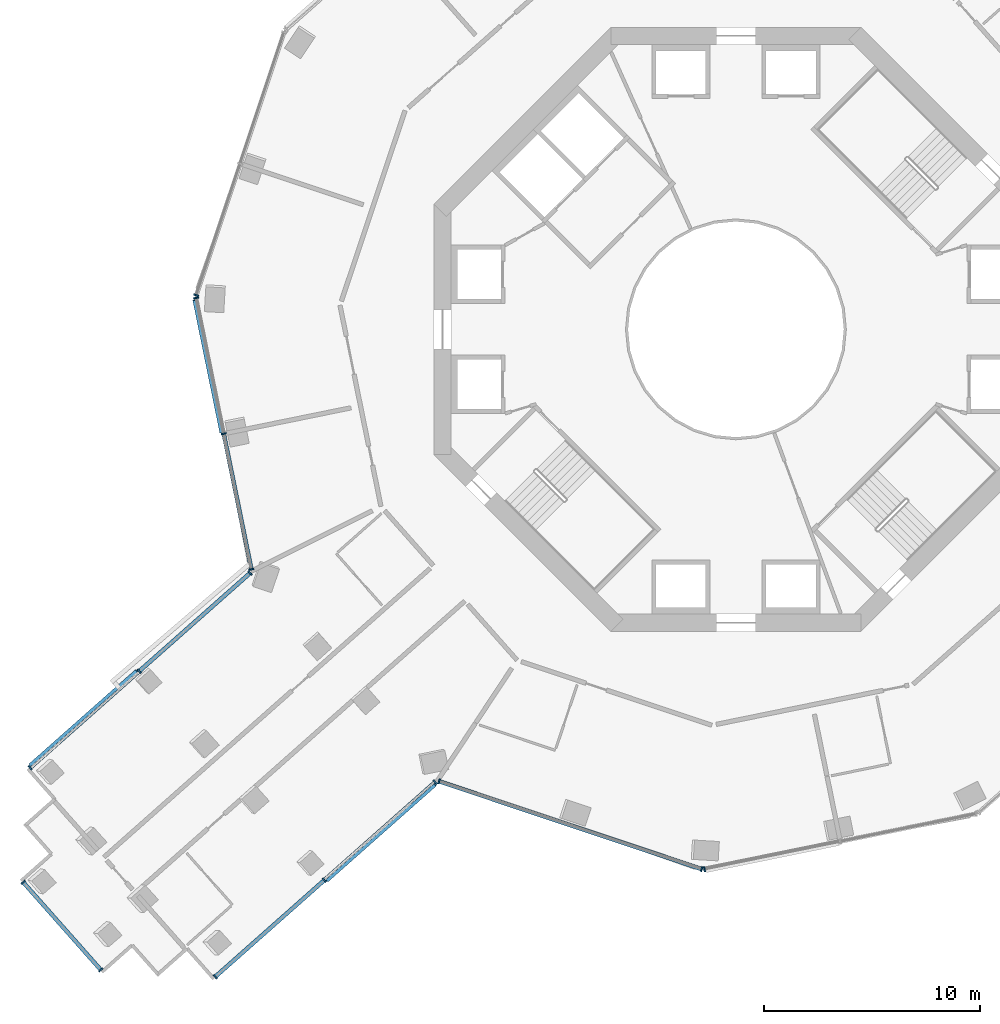
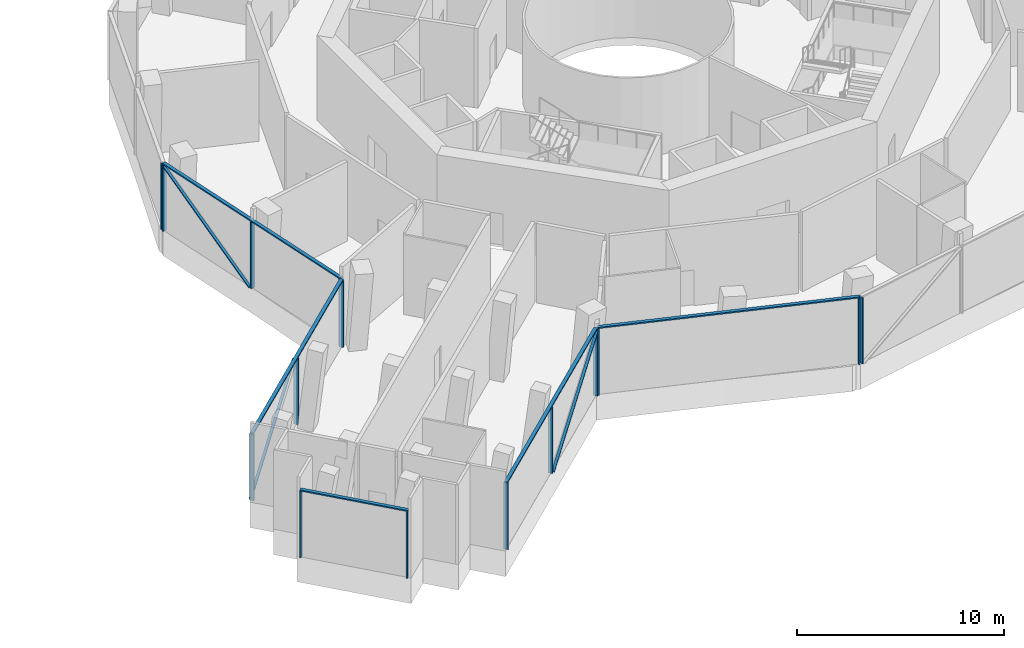
# One storey, part 2 of 20: 23 members, 7 elements without a shape of their own.
"""IFC4 building model written with IfcOpenShell, lengths in metres."""

from ifc_helpers import new_model, si_unit, direction, frame, origin, origin_2d, place, context, subcontext, project, spatial, rectangle, extrude, material, layer, layer_set, material_profile, profile_set, type_object, element, aggregate, save


model = new_model("IFC4")

# Units and contexts
model_context = context("Model", 3, precision=1e-05, world=origin(), true_north=direction((0.0, 1.0)))
body_context = subcontext(model_context, "Body", "Model", "MODEL_VIEW")
ifc_project = project(units=[si_unit("LENGTHUNIT", "METRE"), si_unit("AREAUNIT", "SQUARE_METRE"), si_unit("VOLUMEUNIT", "CUBIC_METRE"), si_unit("PLANEANGLEUNIT", "RADIAN"), si_unit("MASSUNIT", "GRAM", prefix="KILO")], contexts=[model_context])

# Site, building, storey
site_placement = place(None, origin())
site = spatial("IfcSite", under=ifc_project, at=site_placement, CompositionType="ELEMENT")
building_placement = place(site_placement, origin())
building = spatial("IfcBuilding", under=site, at=building_placement, Name="Verdalira Terraces Hotel", CompositionType="ELEMENT")
storey_placement = place(building_placement, frame((0.0, 0.0, 81.0)))
storey = spatial("IfcBuildingStorey", under=building, at=storey_placement, Name="L18", CompositionType="ELEMENT", Elevation=81.0)

# Curtain wall, member
ifc_material_1 = material(Name="Clear glass", Category="glass")
ifc_layer = layer(ifc_material_1, 0.239990234375)
ifc_layer_set = layer_set([ifc_layer], Name="CW5 curtain wall")
curtain_wall_type = type_object("IfcCurtainWallType", Name="CW5 curtain wall", PredefinedType="NOTDEFINED", material=ifc_layer_set)
curtain_wall_1_placement = place(storey_placement, origin())
curtain_wall_1 = element("IfcCurtainWall", 1, at=curtain_wall_1_placement, inside=storey, type_object=curtain_wall_type, Name="CW5 curtain wall L18 edge 12", PredefinedType="NOTDEFINED")
ifc_material_2 = material(Name="Terracotta frame", Category="masonry")
ifc_material_profile_1 = material_profile(ifc_material_2, rectangle(XDim=0.070068, YDim=0.23999, at=origin_2d()), Name="MU 70x240")
ifc_profile_set_1 = profile_set([ifc_material_profile_1], Name="Terracotta frame")
member_type_1 = type_object("IfcMemberType", Name="CW5 mullion 70x240", PredefinedType="MULLION", material=ifc_profile_set_1)
member_1_placement = place(storey_placement, frame((-25.015381, 1.586182, 0.0), z_axis=(0.0, 0.0, 1.0), x_axis=(-0.31697361, -0.948434358, 0.0)))
member_1 = element("IfcMember", 2, at=member_1_placement, type_object=member_type_1, Name="CW5 mullion", PredefinedType="MULLION", context=body_context, shape_type="SweptSolid", body=[
    extrude(rectangle(XDim=0.070068, YDim=0.23999, at=origin_2d()), origin(), (0.0, 0.0, 1.0), 3.915039),
])
aggregate(curtain_wall_1, [member_1])

# Curtain wall, members
curtain_wall_2_placement = place(storey_placement, origin())
curtain_wall_2 = element("IfcCurtainWall", 3, at=curtain_wall_2_placement, inside=storey, type_object=curtain_wall_type, Name="CW5 curtain wall L18 edge 13", PredefinedType="NOTDEFINED")
member_2_placement = place(storey_placement, frame((-25.023438, 1.456787, 0.0), z_axis=(0.0, 0.0, 1.0), x_axis=(0.199709981, -0.979855052, 0.0)))
member_2 = element("IfcMember", 4, at=member_2_placement, type_object=member_type_1, Name="CW5 mullion", PredefinedType="MULLION", context=body_context, shape_type="SweptSolid", body=[
    extrude(rectangle(XDim=0.070068, YDim=0.23999, at=origin_2d()), origin(), (0.0, 0.0, 1.0), 3.915039),
])
member_3_placement = place(storey_placement, frame((-23.740234, -4.838623, 0.0), z_axis=(0.0, 0.0, 1.0), x_axis=(0.199709981, -0.979855052, 0.0)))
member_3 = element("IfcMember", 5, at=member_3_placement, type_object=member_type_1, Name="CW5 mullion", PredefinedType="MULLION", context=body_context, shape_type="SweptSolid", body=[
    extrude(rectangle(XDim=0.070068, YDim=0.23999, at=origin_2d()), origin(), (0.0, 0.0, 1.0), 3.915039),
])
member_4_placement = place(storey_placement, frame((-22.459473, -11.122559, 0.0), z_axis=(0.0, 0.0, 1.0), x_axis=(0.199709981, -0.979855052, 0.0)))
member_4 = element("IfcMember", 6, at=member_4_placement, type_object=member_type_1, Name="CW5 mullion", PredefinedType="MULLION", context=body_context, shape_type="SweptSolid", body=[
    extrude(rectangle(XDim=0.070068, YDim=0.23999, at=origin_2d()), origin(), (0.0, 0.0, 1.0), 3.915039),
])

curtain_wall_3_placement = place(storey_placement, origin())
curtain_wall_3 = element("IfcCurtainWall", 7, at=curtain_wall_3_placement, inside=storey, type_object=curtain_wall_type, Name="CW5 curtain wall L18 edge 14", PredefinedType="NOTDEFINED")
member_5_placement = place(storey_placement, frame((-22.516846, -11.293701, 0.0), z_axis=(0.0, 0.0, 1.0), x_axis=(-0.748724377, -0.662881443, 0.0)))
member_5 = element("IfcMember", 8, at=member_5_placement, type_object=member_type_1, Name="CW5 mullion", PredefinedType="MULLION", context=body_context, shape_type="SweptSolid", body=[
    extrude(rectangle(XDim=0.070068, YDim=0.23999, at=origin_2d()), origin(), (0.0, 0.0, 1.0), 3.915039),
])
member_6_placement = place(storey_placement, frame((-27.6521, -15.840332, 0.0), z_axis=(0.0, 0.0, 1.0), x_axis=(-0.748724377, -0.662881443, 0.0)))
member_6 = element("IfcMember", 9, at=member_6_placement, type_object=member_type_1, Name="CW5 mullion", PredefinedType="MULLION", context=body_context, shape_type="SweptSolid", body=[
    extrude(rectangle(XDim=0.070068, YDim=0.23999, at=origin_2d()), origin(), (0.0, 0.0, 1.0), 3.915039),
])
member_7_placement = place(storey_placement, frame((-32.714111, -20.322021, 0.0), z_axis=(0.0, 0.0, 1.0), x_axis=(-0.748724377, -0.662881443, 0.0)))
member_7 = element("IfcMember", 10, at=member_7_placement, type_object=member_type_1, Name="CW5 mullion", PredefinedType="MULLION", context=body_context, shape_type="SweptSolid", body=[
    extrude(rectangle(XDim=0.070068, YDim=0.23999, at=origin_2d()), origin(), (0.0, 0.0, 1.0), 3.915039),
])

curtain_wall_4_placement = place(storey_placement, origin())
curtain_wall_4 = element("IfcCurtainWall", 11, at=curtain_wall_4_placement, inside=storey, type_object=curtain_wall_type, Name="CW5 curtain wall L18 edge 19", PredefinedType="NOTDEFINED")
member_8_placement = place(storey_placement, frame((-33.036621, -25.622559, 0.0), z_axis=(0.0, 0.0, 1.0), x_axis=(0.662881443, -0.748724377, 0.0)))
member_8 = element("IfcMember", 12, at=member_8_placement, type_object=member_type_1, Name="CW5 mullion", PredefinedType="MULLION", context=body_context, shape_type="SweptSolid", body=[
    extrude(rectangle(XDim=0.070068, YDim=0.23999, at=origin_2d()), origin(), (0.0, 0.0, 1.0), 3.915039),
])
member_9_placement = place(storey_placement, frame((-29.437012, -29.688232, 0.0), z_axis=(0.0, 0.0, 1.0), x_axis=(0.662881443, -0.748724377, 0.0)))
member_9 = element("IfcMember", 13, at=member_9_placement, type_object=member_type_1, Name="CW5 mullion", PredefinedType="MULLION", context=body_context, shape_type="SweptSolid", body=[
    extrude(rectangle(XDim=0.070068, YDim=0.23999, at=origin_2d()), origin(), (0.0, 0.0, 1.0), 3.915039),
])

curtain_wall_5_placement = place(storey_placement, origin())
curtain_wall_5 = element("IfcCurtainWall", 14, at=curtain_wall_5_placement, inside=storey, type_object=curtain_wall_type, Name="CW5 curtain wall L18 edge 24", PredefinedType="NOTDEFINED")
member_10_placement = place(storey_placement, frame((-24.136475, -30.010498, 0.0), z_axis=(0.0, 0.0, 1.0), x_axis=(0.748724377, 0.662881443, 0.0)))
member_10 = element("IfcMember", 15, at=member_10_placement, type_object=member_type_1, Name="CW5 mullion", PredefinedType="MULLION", context=body_context, shape_type="SweptSolid", body=[
    extrude(rectangle(XDim=0.070068, YDim=0.23999, at=origin_2d()), origin(), (0.0, 0.0, 1.0), 3.915039),
])
member_11_placement = place(storey_placement, frame((-19.074463, -25.528809, 0.0), z_axis=(0.0, 0.0, 1.0), x_axis=(0.748724377, 0.662881443, 0.0)))
member_11 = element("IfcMember", 16, at=member_11_placement, type_object=member_type_1, Name="CW5 mullion", PredefinedType="MULLION", context=body_context, shape_type="SweptSolid", body=[
    extrude(rectangle(XDim=0.070068, YDim=0.23999, at=origin_2d()), origin(), (0.0, 0.0, 1.0), 3.915039),
])
member_12_placement = place(storey_placement, frame((-13.938965, -20.982178, 0.0), z_axis=(0.0, 0.0, 1.0), x_axis=(0.748724377, 0.662881443, 0.0)))
member_12 = element("IfcMember", 17, at=member_12_placement, type_object=member_type_1, Name="CW5 mullion", PredefinedType="MULLION", context=body_context, shape_type="SweptSolid", body=[
    extrude(rectangle(XDim=0.070068, YDim=0.23999, at=origin_2d()), origin(), (0.0, 0.0, 1.0), 3.915039),
])

curtain_wall_6_placement = place(storey_placement, origin())
curtain_wall_6 = element("IfcCurtainWall", 18, at=curtain_wall_6_placement, inside=storey, type_object=curtain_wall_type, Name="CW5 curtain wall L18 edge 25", PredefinedType="NOTDEFINED")
member_13_placement = place(storey_placement, frame((-13.762207, -20.946289, 0.0), z_axis=(0.0, 0.0, 1.0), x_axis=(0.948434358, -0.31697361, 0.0)))
member_13 = element("IfcMember", 19, at=member_13_placement, type_object=member_type_1, Name="CW5 mullion", PredefinedType="MULLION", context=body_context, shape_type="SweptSolid", body=[
    extrude(rectangle(XDim=0.070068, YDim=0.23999, at=origin_2d()), origin(), (0.0, 0.0, 1.0), 3.915039),
])
member_14_placement = place(storey_placement, frame((-1.586182, -25.015381, 0.0), z_axis=(0.0, 0.0, 1.0), x_axis=(0.948434358, -0.31697361, 0.0)))
member_14 = element("IfcMember", 20, at=member_14_placement, type_object=member_type_1, Name="CW5 mullion", PredefinedType="MULLION", context=body_context, shape_type="SweptSolid", body=[
    extrude(rectangle(XDim=0.070068, YDim=0.23999, at=origin_2d()), origin(), (0.0, 0.0, 1.0), 3.915039),
])

# Curtain wall, member
curtain_wall_7_placement = place(storey_placement, origin())
curtain_wall_7 = element("IfcCurtainWall", 21, at=curtain_wall_7_placement, inside=storey, type_object=curtain_wall_type, Name="CW5 curtain wall L18 edge 26", PredefinedType="NOTDEFINED")
member_15_placement = place(storey_placement, frame((-1.456787, -25.023438, 0.0), z_axis=(0.0, 0.0, 1.0), x_axis=(0.979855052, 0.199709981, 0.0)))
member_15 = element("IfcMember", 22, at=member_15_placement, type_object=member_type_1, Name="CW5 mullion", PredefinedType="MULLION", context=body_context, shape_type="SweptSolid", body=[
    extrude(rectangle(XDim=0.070068, YDim=0.23999, at=origin_2d()), origin(), (0.0, 0.0, 1.0), 3.915039),
])
aggregate(curtain_wall_7, [member_15])

# Member
ifc_material_3 = material(Name="Terracotta frame", Category="masonry")
ifc_material_profile_2 = material_profile(ifc_material_3, rectangle(XDim=0.189941, YDim=0.074951, at=origin_2d()), Name="TR 75x190")
ifc_profile_set_2 = profile_set([ifc_material_profile_2], Name="Terracotta frame")
member_type_2 = type_object("IfcMemberType", Name="CW5 transom 75x190", PredefinedType="USERDEFINED", material=ifc_profile_set_2)
member_16_placement = place(storey_placement, frame((-25.030273, 1.490967, 3.952393), z_axis=(0.199715799, -0.979853866, 0.0), x_axis=(0.979853866, 0.199715799, 0.0)))
member_16 = element("IfcMember", 23, at=member_16_placement, type_object=member_type_2, Name="CW5 transom", ObjectType="TRANSOM", PredefinedType="USERDEFINED", context=body_context, shape_type="SweptSolid", body=[
    extrude(rectangle(XDim=0.189941, YDim=0.074951, at=origin_2d()), origin(), (0.0, 0.0, 1.0), 12.907715),
])

member_17_placement = place(storey_placement, frame((-22.490479, -11.270508, 3.952393), z_axis=(-0.748728271, -0.662877044, 0.0), x_axis=(0.662877044, -0.748728271, 0.0)))
member_17 = element("IfcMember", 24, at=member_17_placement, type_object=member_type_2, Name="CW5 transom", ObjectType="TRANSOM", PredefinedType="USERDEFINED", context=body_context, shape_type="SweptSolid", body=[
    extrude(rectangle(XDim=0.189941, YDim=0.074951, at=origin_2d()), origin(), (0.0, 0.0, 1.0), 13.689941),
])

member_18_placement = place(storey_placement, frame((-33.059814, -25.596436, 3.952393), z_axis=(0.662902332, -0.748705882, 0.0), x_axis=(0.748705882, 0.662902332, 0.0)))
member_18 = element("IfcMember", 25, at=member_18_placement, type_object=member_type_2, Name="CW5 transom", ObjectType="TRANSOM", PredefinedType="USERDEFINED", context=body_context, shape_type="SweptSolid", body=[
    extrude(rectangle(XDim=0.189941, YDim=0.074951, at=origin_2d()), origin(), (0.0, 0.0, 1.0), 5.5),
])

aggregate(curtain_wall_4, [member_8, member_9, member_18])

member_19_placement = place(storey_placement, frame((-24.162598, -30.033691, 3.952393), z_axis=(0.748720435, 0.662885896, 0.0), x_axis=(-0.662885896, 0.748720435, 0.0)))
member_19 = element("IfcMember", 26, at=member_19_placement, type_object=member_type_2, Name="CW5 transom", ObjectType="TRANSOM", PredefinedType="USERDEFINED", context=body_context, shape_type="SweptSolid", body=[
    extrude(rectangle(XDim=0.189941, YDim=0.074951, at=origin_2d()), origin(), (0.0, 0.0, 1.0), 13.689697),
])

member_20_placement = place(storey_placement, frame((-13.795166, -20.935059, 3.952393), z_axis=(0.94843144, -0.316982341, 0.0), x_axis=(0.316982341, 0.94843144, 0.0)))
member_20 = element("IfcMember", 27, at=member_20_placement, type_object=member_type_2, Name="CW5 transom", ObjectType="TRANSOM", PredefinedType="USERDEFINED", context=body_context, shape_type="SweptSolid", body=[
    extrude(rectangle(XDim=0.189941, YDim=0.074951, at=origin_2d()), origin(), (0.0, 0.0, 1.0), 12.907715),
])

aggregate(curtain_wall_6, [member_13, member_14, member_20])

ifc_material_4 = material(Name="Terracotta frame", Category="masonry")
ifc_material_profile_3 = material_profile(ifc_material_4, rectangle(XDim=0.149902, YDim=0.060059, at=origin_2d()), Name="GB 60x150")
ifc_profile_set_3 = profile_set([ifc_material_profile_3], Name="Terracotta frame")
member_type_3 = type_object("IfcMemberType", Name="Diagonal glazing bar 60x150", PredefinedType="USERDEFINED", material=ifc_profile_set_3)
member_21_placement = place(storey_placement, frame((-25.102783, 1.36084, 3.888428), z_axis=(0.170040061, -0.834250758, -0.524511248), x_axis=(0.979853549, 0.199717358, 0.0)))
member_21 = element("IfcMember", 28, at=member_21_placement, type_object=member_type_3, Name="Diagonal glazing bar", ObjectType="GLAZING BAR", PredefinedType="USERDEFINED", context=body_context, shape_type="SweptSolid", body=[
    extrude(rectangle(XDim=0.149902, YDim=0.060059, at=origin_2d()), origin(), (0.0, 0.0, 1.0), 7.362793),
])

aggregate(curtain_wall_2, [member_2, member_3, member_4, member_16, member_21])

member_22_placement = place(storey_placement, frame((-27.7771, -15.821533, 3.888184), z_axis=(-0.646216201, -0.572133007, -0.505043012), x_axis=(0.662885955, -0.748720382, 0.0)))
member_22 = element("IfcMember", 29, at=member_22_placement, type_object=member_type_3, Name="Diagonal glazing bar", ObjectType="GLAZING BAR", PredefinedType="USERDEFINED", context=body_context, shape_type="SweptSolid", body=[
    extrude(rectangle(XDim=0.149902, YDim=0.060059, at=origin_2d()), origin(), (0.0, 0.0, 1.0), 7.645508),
])

aggregate(curtain_wall_3, [member_5, member_6, member_7, member_17, member_22])

member_23_placement = place(storey_placement, frame((-18.948975, -25.547363, 0.0271), z_axis=(0.648609468, 0.574249819, 0.499542694), x_axis=(-0.662884604, 0.748721578, 0.0)))
member_23 = element("IfcMember", 30, at=member_23_placement, type_object=member_type_3, Name="Diagonal glazing bar", ObjectType="GLAZING BAR", PredefinedType="USERDEFINED", context=body_context, shape_type="SweptSolid", body=[
    extrude(rectangle(XDim=0.149902, YDim=0.060059, at=origin_2d()), origin(), (0.0, 0.0, 1.0), 7.72876),
])

aggregate(curtain_wall_5, [member_10, member_11, member_12, member_19, member_23])

save(model, "model.ifc")
